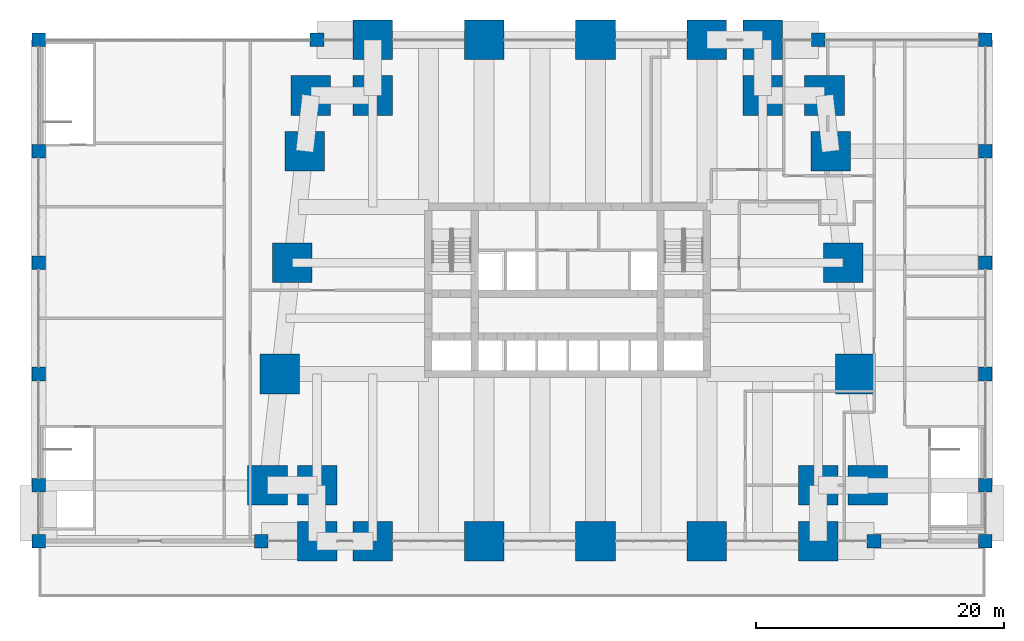
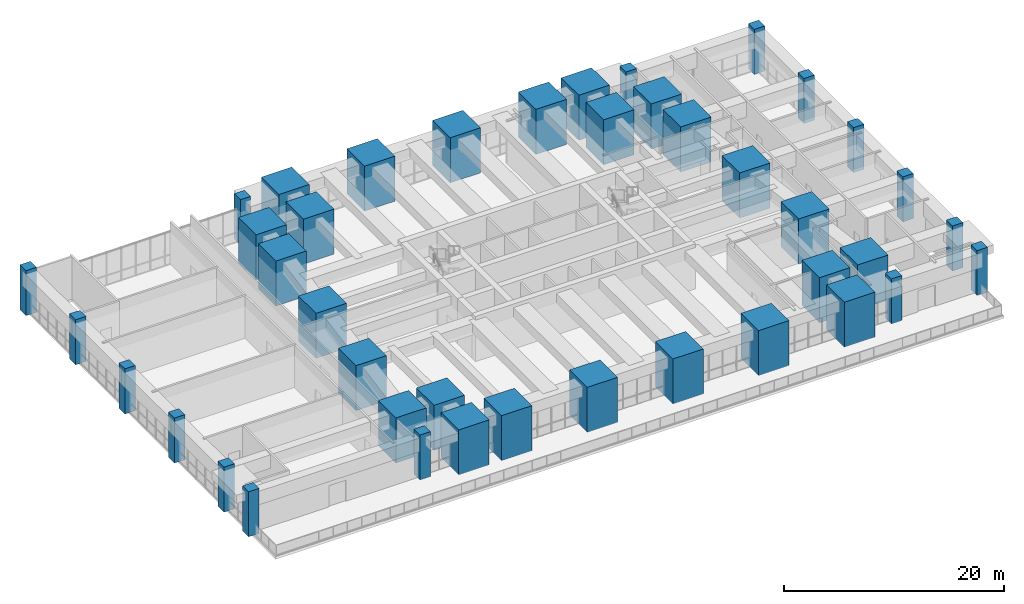
# One storey, part 1 of 22: 41 columns.
"""IFC4 building model written with IfcOpenShell, lengths in metres."""

import ifcopenshell
import ifcopenshell.guid

model = None  # the IFC model being written
_history = None  # IfcOwnerHistory: only IFC2X3 demands one
_inside = {}  # id of a spatial element -> (the spatial element, [elements in it])
_under = {}  # id of a project, library or spatial element -> (it, [spatial elements below it])
_declared = {}  # id of a project -> (the project, [libraries it declares])
_typed = {}  # id of a type object -> (the type object, [elements of that type])
_made_of = {}  # id of a material, layer set ... -> (it, [elements and type objects made of it])


def new_model(schema):
    """Start an empty IFC model of exactly this schema.

    Asked for "IFC4X3", IfcOpenShell would pick the latest addendum, in which some entities
    have other attributes; the version numbers below select the first issue.
    IFC2X3 requires an IfcOwnerHistory on every rooted entity: one is made here for all.
    """
    global model, _history
    if schema == "IFC4X3":
        model = ifcopenshell.file(schema_version=(4, 3, 0, 0))
    else:
        model = ifcopenshell.file(schema=schema)
    _inside.clear()
    _under.clear()
    _declared.clear()
    _typed.clear()
    _made_of.clear()
    _history = None
    if model.schema == "IFC2X3":
        org = make("IfcOrganization", Name="unknown")
        user = make(
            "IfcPersonAndOrganization",
            ThePerson=make("IfcPerson", FamilyName="unknown"),
            TheOrganization=org,
        )
        app = make(
            "IfcApplication",
            ApplicationDeveloper=org,
            Version="unknown",
            ApplicationFullName="unknown",
            ApplicationIdentifier="unknown",
        )
        _history = make(
            "IfcOwnerHistory",
            OwningUser=user,
            OwningApplication=app,
            ChangeAction="ADDED",
            CreationDate=0,
        )
    return model


def make(cls, **values):
    """One entity of the class cls with the attributes given. An attribute that is None is left unset."""
    return model.create_entity(
        cls, **{name: value for name, value in values.items() if value is not None}
    )


def rooted(cls, **values):
    """An entity with a GlobalId (a new one), such as an element, a storey or a relation."""
    return make(cls, GlobalId=ifcopenshell.guid.new(), OwnerHistory=_history, **values)


def si_unit(unit_type, name, prefix=None):
    """IfcSIUnit, for example si_unit("LENGTHUNIT", "METRE", prefix="MILLI")."""
    return make("IfcSIUnit", UnitType=unit_type, Prefix=prefix, Name=name)


def assignment(units):
    """IfcUnitAssignment: the units of a project."""
    return None if units is None else make("IfcUnitAssignment", Units=units)


def point(xyz):
    """IfcCartesianPoint."""
    return None if xyz is None else make("IfcCartesianPoint", Coordinates=xyz)


def direction(xyz):
    """IfcDirection."""
    return None if xyz is None else make("IfcDirection", DirectionRatios=xyz)


def frame(location, z_axis=None, x_axis=None):
    """IfcAxis2Placement3D, a coordinate frame: its origin and axes. An axis left out is left unset."""
    return make(
        "IfcAxis2Placement3D",
        Location=point(location),
        Axis=direction(z_axis),
        RefDirection=direction(x_axis),
    )


def frame_2d(location, x_axis=None):
    """IfcAxis2Placement2D, a coordinate frame in the plane: its origin and x axis."""
    return make(
        "IfcAxis2Placement2D", Location=point(location), RefDirection=direction(x_axis)
    )


def origin():
    """The frame at (0, 0, 0) with its axes left unset."""
    return frame((0.0, 0.0, 0.0))


def origin_2d():
    """The frame at (0, 0) in the plane with its x axis left unset."""
    return frame_2d((0.0, 0.0))


def place(relative_to, where):
    """IfcLocalPlacement: puts the frame where relative to a parent placement (None: the world)."""
    return make(
        "IfcLocalPlacement", PlacementRelTo=relative_to, RelativePlacement=where
    )


def context(
    kind, dimensions, precision=None, world=None, true_north=None, identifier=None
):
    """IfcGeometricRepresentationContext, for example the 3D "Model" context."""
    return make(
        "IfcGeometricRepresentationContext",
        ContextIdentifier=identifier,
        ContextType=kind,
        CoordinateSpaceDimension=dimensions,
        Precision=precision,
        WorldCoordinateSystem=world,
        TrueNorth=true_north,
    )


def subcontext(parent, identifier, kind, view, scale=None):
    """IfcGeometricRepresentationSubContext, for example "Body" below "Model"."""
    return make(
        "IfcGeometricRepresentationSubContext",
        ContextIdentifier=identifier,
        ContextType=kind,
        ParentContext=parent,
        TargetScale=scale,
        TargetView=view,
    )


def project(units=None, contexts=None):
    """IfcProject with its units and contexts."""
    return rooted(
        "IfcProject",
        Name="project",
        RepresentationContexts=contexts,
        UnitsInContext=assignment(units),
    )


def spatial(cls, under=None, at=None, **own):
    """A site, building, storey or space (cls), placed at a placement, below another one or the project."""
    s = rooted(cls, ObjectPlacement=at, **own)
    if under is not None:
        _under.setdefault(under.id(), (under, []))[1].append(s)
    return s


def profile(cls, at=None, kind="AREA", **sizes):
    """A parametric profile (cls). Its sizes go by their IFC names, for example OverallWidth=200.0."""
    return make(cls, ProfileType=kind, Position=at, **sizes)


def rectangle(**sizes):
    """IfcRectangleProfileDef."""
    return profile("IfcRectangleProfileDef", **sizes)


def extrude(swept, where, along, depth):
    """IfcExtrudedAreaSolid: the profile swept, set in the frame where, extruded along a direction by depth."""
    return make(
        "IfcExtrudedAreaSolid",
        SweptArea=swept,
        Position=where,
        ExtrudedDirection=direction(along),
        Depth=depth,
    )


def shape(context_of_items, identifier, shape_type, items):
    """IfcShapeRepresentation: the items that make up one representation, for example the "Body"."""
    return make(
        "IfcShapeRepresentation",
        ContextOfItems=context_of_items,
        RepresentationIdentifier=identifier,
        RepresentationType=shape_type,
        Items=items,
    )


def material(Name=None, Category=None):
    """IfcMaterial."""
    return make("IfcMaterial", Name=Name, Category=Category)


def material_profile(
    of_material, cross_section, Name=None, Category=None, Priority=None
):
    """IfcMaterialProfile: a cross section and its material."""
    return make(
        "IfcMaterialProfile",
        Name=Name,
        Material=of_material,
        Profile=cross_section,
        Priority=Priority,
        Category=Category,
    )


def profile_set(profiles, Name=None, composite=None):
    """IfcMaterialProfileSet."""
    return make(
        "IfcMaterialProfileSet",
        Name=Name,
        MaterialProfiles=profiles,
        CompositeProfile=composite,
    )


def made_of(thing, what):
    """Note that an element or type object is made of a material, layer set ...; save() writes the relation."""
    if what is not None:
        _made_of.setdefault(what.id(), (what, []))[1].append(thing)
    return thing


def type_object(cls, material=None, **own):
    """A type object (cls), such as IfcWallType, which elements share."""
    return made_of(rooted(cls, **own), material)


def element(
    cls,
    number,
    at=None,
    inside=None,
    cuts=None,
    type_object=None,
    material=None,
    context=None,
    identifier="Body",
    shape_type=None,
    held_by="IfcProductDefinitionShape",
    body=None,
    shapes=None,
    **own,
):
    """One element of the class cls, such as IfcWall. Its Tag is "e" and its number.

    at: its placement. inside: the storey or other place that contains it. cuts: it is an
    opening in that element (IfcRelVoidsElement). A single representation is given by context,
    identifier, shape_type and body (its items); several are given by shapes. held_by: the class
    of the entity that holds the representations. save() writes the other relations.
    """
    e = rooted(cls, Tag="e%d" % number, ObjectPlacement=at, **own)
    if body is not None:
        shapes = [shape(context, identifier, shape_type, body)]
    if shapes is not None:
        e.Representation = make(held_by, Representations=shapes)
    if inside is not None:
        _inside.setdefault(inside.id(), (inside, []))[1].append(e)
    if cuts is not None:
        rooted(
            "IfcRelVoidsElement", RelatingBuildingElement=cuts, RelatedOpeningElement=e
        )
    if type_object is not None:
        _typed.setdefault(type_object.id(), (type_object, []))[1].append(e)
    return made_of(e, material)


def aggregate(whole, parts):
    """IfcRelAggregates: a whole, such as a stair, and the parts it consists of."""
    return rooted("IfcRelAggregates", RelatingObject=whole, RelatedObjects=parts)


def save(model, path):
    """Write the relations noted so far, then the file.

    IfcRelAggregates (storeys below a building ...), IfcRelContainedInSpatialStructure (elements
    in a storey), IfcRelDefinesByType, IfcRelAssociatesMaterial and IfcRelDeclares: one each for
    every whole, place, type object, material and project.
    """
    for whole, parts in _under.values():
        aggregate(whole, parts)
    for where, things in _inside.values():
        rooted(
            "IfcRelContainedInSpatialStructure",
            RelatedElements=things,
            RelatingStructure=where,
        )
    for kind, things in _typed.values():
        rooted("IfcRelDefinesByType", RelatedObjects=things, RelatingType=kind)
    for what, things in _made_of.values():
        rooted("IfcRelAssociatesMaterial", RelatedObjects=things, RelatingMaterial=what)
    for by, libraries in _declared.values():
        rooted("IfcRelDeclares", RelatingContext=by, RelatedDefinitions=libraries)
    model.write(path)


model = new_model("IFC4")

# Units and contexts
model_context = context("Model", 3, precision=1e-05, world=origin(), true_north=direction((0.0, 1.0)))
body_context = subcontext(model_context, "Body", "Model", "MODEL_VIEW")
ifc_project = project(units=[si_unit("LENGTHUNIT", "METRE"), si_unit("AREAUNIT", "SQUARE_METRE"), si_unit("VOLUMEUNIT", "CUBIC_METRE"), si_unit("PLANEANGLEUNIT", "RADIAN"), si_unit("MASSUNIT", "GRAM", prefix="KILO")], contexts=[model_context])

# Site, building, storey
site_placement = place(None, origin())
site = spatial("IfcSite", under=ifc_project, at=site_placement, CompositionType="ELEMENT")
building_placement = place(site_placement, origin())
building = spatial("IfcBuilding", under=site, at=building_placement, Name="Kilele Tower Hotel", CompositionType="ELEMENT")
storey_placement = place(building_placement, frame((0.0, 0.0, 19.0)))
storey = spatial("IfcBuildingStorey", under=building, at=storey_placement, Name="L03", CompositionType="ELEMENT", Elevation=19.0)

# Columns
ifc_material_1 = material(Name="Concrete C60/75", Category="concrete")
ifc_material_profile_1 = material_profile(ifc_material_1, rectangle(XDim=1.10009765625, YDim=1.10009765625, at=origin_2d()))
ifc_profile_set_1 = profile_set([ifc_material_profile_1], Name="Concrete C60/75")
column_type_1 = type_object("IfcColumnType", Name="Column RC 1100x1100 C60/75", PredefinedType="COLUMN", material=ifc_profile_set_1)
for number, where, z_axis, x_axis, name in (
    (1, (-18.0, 4.5, 0.0), (0.0, 0.0, 1.0), (1.0, 0.0, 0.0), "Column PC1 L03"),
    (2, (58.5, 4.5, 0.0), (0.0, 0.0, 1.0), (1.0, 0.0, 0.0), "Column PC1 L03"),
    (3, (-18.0, 13.5, 0.0), (0.0, 0.0, 1.0), (1.0, 0.0, 0.0), "Column PC1 L03"),
    (4, (58.5, 13.5, 0.0), (0.0, 0.0, 1.0), (1.0, 0.0, 0.0), "Column PC1 L03"),
    (5, (-18.0, 22.5, 0.0), (0.0, 0.0, 1.0), (1.0, 0.0, 0.0), "Column PC1 L03"),
    (6, (58.5, 22.5, 0.0), (0.0, 0.0, 1.0), (1.0, 0.0, 0.0), "Column PC1 L03"),
    (7, (-18.0, 31.5, 0.0), (0.0, 0.0, 1.0), (1.0, 0.0, 0.0), "Column PC1 L03"),
    (8, (58.5, 31.5, 0.0), (0.0, 0.0, 1.0), (1.0, 0.0, 0.0), "Column PC1 L03"),
    (9, (-18.0, 40.5, 0.0), (0.0, 0.0, 1.0), (1.0, 0.0, 0.0), "Column PC1 L03"),
    (10, (58.5, 40.5, 0.0), (0.0, 0.0, 1.0), (1.0, 0.0, 0.0), "Column PC1 L03"),
    (11, (-18.0, 0.0, 0.0), (0.0, 0.0, 1.0), (1.0, 0.0, 0.0), "Column PC1 L03"),
    (12, (58.5, 0.0, 0.0), (0.0, 0.0, 1.0), (1.0, 0.0, 0.0), "Column PC1 L03"),
    (13, (0.0, 0.0, 0.0), (0.0, 0.0, 1.0), (1.0, 0.0, 0.0), "Column PC1 L03"),
    (14, (49.5, 0.0, 0.0), (0.0, 0.0, 1.0), (1.0, 0.0, 0.0), "Column PC1 L03"),
    (15, (4.5, 40.5, 0.0), (0.0, 0.0, 1.0), (1.0, 0.0, 0.0), "Column PC1 L03"),
    (16, (45.0, 40.5, 0.0), (0.0, 0.0, 1.0), (1.0, 0.0, 0.0), "Column PC1 L03"),
):
    element("IfcColumn", number, at=place(storey_placement, frame(where, z_axis=z_axis, x_axis=x_axis)), inside=storey, type_object=column_type_1, Name=name, PredefinedType="COLUMN", context=body_context, shape_type="SweptSolid", body=[
        extrude(rectangle(XDim=1.10009765625, YDim=1.10009765625, at=origin_2d()), origin(), (0.0, 0.0, 1.0), 5.0),
    ])
ifc_material_2 = material(Name="Concrete C80/95", Category="concrete")
ifc_material_profile_2 = material_profile(ifc_material_2, rectangle(XDim=3.199951171875, YDim=3.199951171875, at=origin_2d()))
ifc_profile_set_2 = profile_set([ifc_material_profile_2], Name="Concrete C80/95")
column_type_2 = type_object("IfcColumnType", Name="Mega column RC 3200x3200 C80/95", PredefinedType="COLUMN", material=ifc_profile_set_2)
for number, where, z_axis, x_axis, name in (
    (17, (0.5, 4.5, 0.0), (0.0, 0.0, 1.0), (1.0, 0.0, 0.0), "Column MC1 L03"),
    (18, (4.5, 4.5, 0.0), (0.0, 0.0, 1.0), (1.0, 0.0, 0.0), "Column MC1 L03"),
    (19, (4.5, 0.0, 0.0), (0.0, 0.0, 1.0), (1.0, 0.0, 0.0), "Column MC1 L03"),
    (20, (9.0, 0.0, 0.0), (0.0, 0.0, 1.0), (1.0, 0.0, 0.0), "Column MC1 L03"),
    (21, (18.0, 0.0, 0.0), (0.0, 0.0, 1.0), (1.0, 0.0, 0.0), "Column MC1 L03"),
    (22, (27.0, 0.0, 0.0), (0.0, 0.0, 1.0), (1.0, 0.0, 0.0), "Column MC1 L03"),
    (23, (36.0, 0.0, 0.0), (0.0, 0.0, 1.0), (1.0, 0.0, 0.0), "Column MC1 L03"),
    (24, (45.0, 0.0, 0.0), (0.0, 0.0, 1.0), (1.0, 0.0, 0.0), "Column MC1 L03"),
    (25, (45.0, 4.5, 0.0), (0.0, 0.0, 1.0), (1.0, 0.0, 0.0), "Column MC1 L03"),
    (26, (49.0, 4.5, 0.0), (0.0, 0.0, 1.0), (1.0, 0.0, 0.0), "Column MC1 L03"),
    (27, (48.0, 13.5, 0.0), (0.0, 0.0, 1.0), (1.0, 0.0, 0.0), "Column MC1 L03"),
    (28, (47.0, 22.5, 0.0), (0.0, 0.0, 1.0), (1.0, 0.0, 0.0), "Column MC1 L03"),
    (29, (46.0, 31.5, 0.0), (0.0, 0.0, 1.0), (1.0, 0.0, 0.0), "Column MC1 L03"),
    (30, (45.5, 36.0, 0.0), (0.0, 0.0, 1.0), (1.0, 0.0, 0.0), "Column MC1 L03"),
    (31, (40.5, 36.0, 0.0), (0.0, 0.0, 1.0), (1.0, 0.0, 0.0), "Column MC1 L03"),
    (32, (40.5, 40.5, 0.0), (0.0, 0.0, 1.0), (1.0, 0.0, 0.0), "Column MC1 L03"),
    (33, (36.0, 40.5, 0.0), (0.0, 0.0, 1.0), (1.0, 0.0, 0.0), "Column MC1 L03"),
    (34, (27.0, 40.5, 0.0), (0.0, 0.0, 1.0), (1.0, 0.0, 0.0), "Column MC1 L03"),
    (35, (18.0, 40.5, 0.0), (0.0, 0.0, 1.0), (1.0, 0.0, 0.0), "Column MC1 L03"),
    (36, (9.0, 40.5, 0.0), (0.0, 0.0, 1.0), (1.0, 0.0, 0.0), "Column MC1 L03"),
    (37, (9.0, 36.0, 0.0), (0.0, 0.0, 1.0), (1.0, 0.0, 0.0), "Column MC1 L03"),
    (38, (4.0, 36.0, 0.0), (0.0, 0.0, 1.0), (1.0, 0.0, 0.0), "Column MC1 L03"),
    (39, (3.5, 31.5, 0.0), (0.0, 0.0, 1.0), (1.0, 0.0, 0.0), "Column MC1 L03"),
    (40, (2.5, 22.5, 0.0), (0.0, 0.0, 1.0), (1.0, 0.0, 0.0), "Column MC1 L03"),
    (41, (1.5, 13.5, 0.0), (0.0, 0.0, 1.0), (1.0, 0.0, 0.0), "Column MC1 L03"),
):
    element("IfcColumn", number, at=place(storey_placement, frame(where, z_axis=z_axis, x_axis=x_axis)), inside=storey, type_object=column_type_2, Name=name, PredefinedType="COLUMN", context=body_context, shape_type="SweptSolid", body=[
        extrude(rectangle(XDim=3.199951171875, YDim=3.199951171875, at=origin_2d()), origin(), (0.0, 0.0, 1.0), 5.0),
    ])

save(model, "model.ifc")
